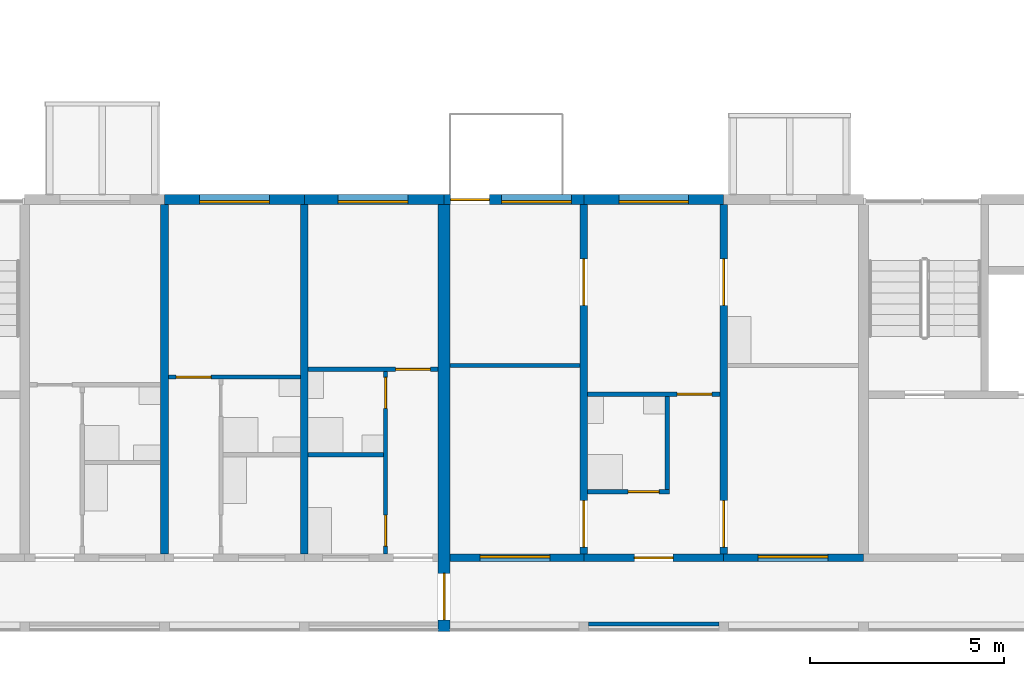
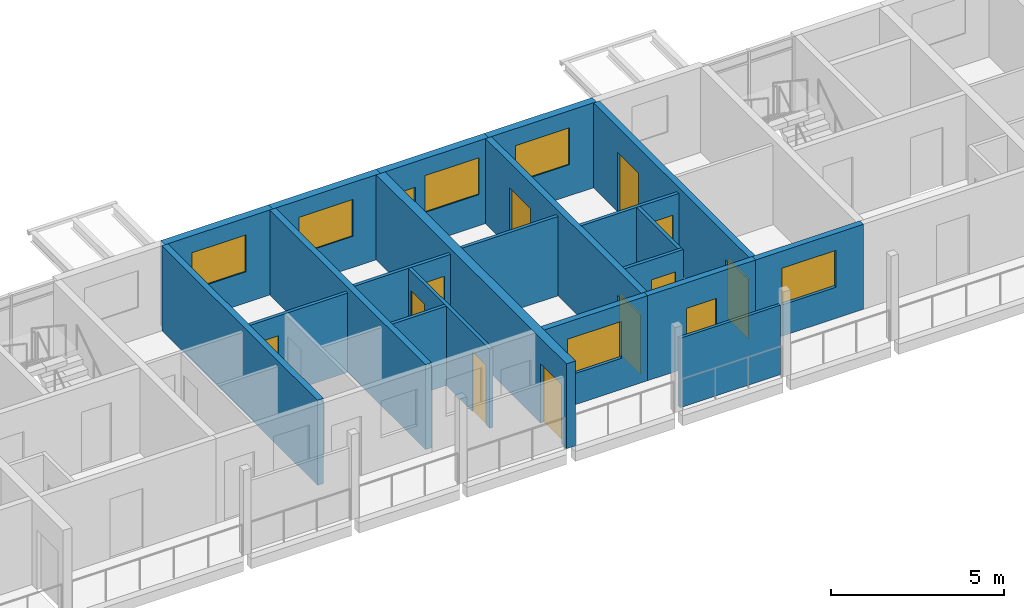
# One storey, part 49 of 87: 21 walls, 13 doors, 6 windows, 19 openings.
"""IFC4 building model written with IfcOpenShell, lengths in metres."""

from ifc_helpers import new_model, si_unit, direction, frame, frame_2d, origin, place, context, subcontext, project, spatial, rectangle, extrude, material, layer, layer_set, type_object, element, fill, save


model = new_model("IFC4")

# Units and contexts
model_context = context("Model", 3, precision=1e-05, world=origin(), true_north=direction((0.0, 1.0)))
body_context = subcontext(model_context, "Body", "Model", "MODEL_VIEW")
ifc_project = project(units=[si_unit("LENGTHUNIT", "METRE"), si_unit("AREAUNIT", "SQUARE_METRE"), si_unit("VOLUMEUNIT", "CUBIC_METRE"), si_unit("PLANEANGLEUNIT", "RADIAN"), si_unit("MASSUNIT", "GRAM", prefix="KILO")], contexts=[model_context])

# Site, building, storey
site_placement = place(None, origin())
site = spatial("IfcSite", under=ifc_project, at=site_placement, CompositionType="ELEMENT")
building_placement = place(site_placement, origin())
building = spatial("IfcBuilding", under=site, at=building_placement, Name="Ridgestep Commons", CompositionType="ELEMENT")
storey_placement = place(building_placement, frame((0.0, 0.0, 27.0)))
storey = spatial("IfcBuildingStorey", under=building, at=storey_placement, Name="L09", CompositionType="ELEMENT", Elevation=27.0)

# Walls
ifc_material_1 = material(Name="Precast concrete C40/50", Category="concrete")
ifc_layer_1 = layer(ifc_material_1, 0.199951171875)
ifc_layer_set_1 = layer_set([ifc_layer_1], Name="Cross wall 200")
wall_type_1 = type_object("IfcWallType", Name="Cross wall 200", PredefinedType="SHEAR", material=ifc_layer_set_1)
for number, where, z_axis, x_axis, name in (
    (1, (173.199951171875, 13.75, 0.0), (0.0, 0.0, 1.0), (0.0, 1.0, 0.0), "Cross wall D-09-1732"),
    (2, (176.800048828125, 13.75, 0.0), (0.0, 0.0, 1.0), (0.0, 1.0, 0.0), "Cross wall D-09-1768"),
):
    element("IfcWall", number, at=place(storey_placement, frame(where, z_axis=z_axis, x_axis=x_axis)), inside=storey, type_object=wall_type_1, Name=name, PredefinedType="SHEAR", context=body_context, shape_type="SweptSolid", body=[
        extrude(rectangle(XDim=9.0, YDim=0.199951171875, at=frame_2d((4.5, 0.0))), origin(), (0.0, 0.0, 1.0), 3.0),
    ])

# Wall, openings, doors
wall_1_placement = place(storey_placement, frame((184.0, 13.75, 0.0), z_axis=(0.0, 0.0, 1.0), x_axis=(0.0, 1.0, 0.0)))
wall_1 = element("IfcWall", 3, at=wall_1_placement, inside=storey, type_object=wall_type_1, Name="Cross wall D-09-1840", PredefinedType="SHEAR", context=body_context, shape_type="SweptSolid", body=[
    extrude(rectangle(XDim=9.0, YDim=0.199951171875, at=frame_2d((4.5, 0.0))), origin(), (0.0, 0.0, 1.0), 3.0),
])
opening_1_placement = place(wall_1_placement, frame((0.175048828125, 0.0, 0.0)))
opening_1 = element("IfcOpeningElement", 4, at=opening_1_placement, cuts=wall_1, Name="Opening D3-09a/4", PredefinedType="OPENING", context=body_context, shape_type="SweptSolid", body=[
    extrude(rectangle(XDim=1.199951171875, YDim=2.10009765625, at=frame_2d((0.60009765625, 1.050048828125))), frame((0.0, 0.10986328125, 0.0), z_axis=(0.0, -1.0, 0.0), x_axis=(1.0, 0.0, 0.0)), (0.0, 0.0, 1.0), 0.219970703125),
])
opening_2_placement = place(wall_1_placement, frame((6.39990234375, 0.0, 0.0)))
opening_2 = element("IfcOpeningElement", 5, at=opening_2_placement, cuts=wall_1, Name="Opening D3-09a/5", PredefinedType="OPENING", context=body_context, shape_type="SweptSolid", body=[
    extrude(rectangle(XDim=1.199951171875, YDim=2.10009765625, at=frame_2d((0.60009765625, 1.050048828125))), frame((0.0, 0.10986328125, 0.0), z_axis=(0.0, -1.0, 0.0), x_axis=(1.0, 0.0, 0.0)), (0.0, 0.0, 1.0), 0.219970703125),
])
ifc_material_2 = material(Name="Timber door leaf", Category="wood")
door_type_1 = type_object("IfcDoorType", Name="Double door 1200 x 2100", OperationType="DOUBLE_DOOR_SINGLE_SWING", PredefinedType="DOOR", material=ifc_material_2)
door_1_placement = place(opening_1_placement, origin())
door_1 = element("IfcDoor", 6, at=door_1_placement, inside=storey, type_object=door_type_1, Name="Double door D3-09a/4", OperationType="DOUBLE_DOOR_SINGLE_SWING", OverallHeight=2.10009765625, OverallWidth=1.199951171875, PredefinedType="DOOR", context=body_context, shape_type="SweptSolid", body=[
    extrude(rectangle(XDim=1.199951171875, YDim=2.10009765625, at=frame_2d((0.60009765625, 1.050048828125))), frame((0.0, 0.02490234375, 0.0), z_axis=(0.0, -1.0, 0.0), x_axis=(1.0, 0.0, 0.0)), (0.0, 0.0, 1.0), 0.050048828125),
])
fill(opening_1, door_1)
door_2_placement = place(opening_2_placement, origin())
door_2 = element("IfcDoor", 7, at=door_2_placement, inside=storey, type_object=door_type_1, Name="Double door D3-09a/5", OperationType="DOUBLE_DOOR_SINGLE_SWING", OverallHeight=2.10009765625, OverallWidth=1.199951171875, PredefinedType="DOOR", context=body_context, shape_type="SweptSolid", body=[
    extrude(rectangle(XDim=1.199951171875, YDim=2.10009765625, at=frame_2d((0.60009765625, 1.050048828125))), frame((0.0, 0.02490234375, 0.0), z_axis=(0.0, -1.0, 0.0), x_axis=(1.0, 0.0, 0.0)), (0.0, 0.0, 1.0), 0.050048828125),
])
fill(opening_2, door_2)

wall_2_placement = place(storey_placement, frame((187.60009765625, 13.75, 0.0), z_axis=(0.0, 0.0, 1.0), x_axis=(0.0, 1.0, 0.0)))
wall_2 = element("IfcWall", 8, at=wall_2_placement, inside=storey, type_object=wall_type_1, Name="Cross wall D-09-1876", PredefinedType="SHEAR", context=body_context, shape_type="SweptSolid", body=[
    extrude(rectangle(XDim=9.0, YDim=0.199951171875, at=frame_2d((4.5, 0.0))), origin(), (0.0, 0.0, 1.0), 3.0),
])
opening_3_placement = place(wall_2_placement, frame((0.175048828125, 0.0, 0.0)))
opening_3 = element("IfcOpeningElement", 9, at=opening_3_placement, cuts=wall_2, Name="Opening D3-09a/6", PredefinedType="OPENING", context=body_context, shape_type="SweptSolid", body=[
    extrude(rectangle(XDim=1.199951171875, YDim=2.10009765625, at=frame_2d((0.60009765625, 1.050048828125))), frame((0.0, 0.10986328125, 0.0), z_axis=(0.0, -1.0, 0.0), x_axis=(1.0, 0.0, 0.0)), (0.0, 0.0, 1.0), 0.219970703125),
])
opening_4_placement = place(wall_2_placement, frame((6.39990234375, 0.0, 0.0)))
opening_4 = element("IfcOpeningElement", 10, at=opening_4_placement, cuts=wall_2, Name="Opening D3-09a/7", PredefinedType="OPENING", context=body_context, shape_type="SweptSolid", body=[
    extrude(rectangle(XDim=1.199951171875, YDim=2.10009765625, at=frame_2d((0.60009765625, 1.050048828125))), frame((0.0, 0.10986328125, 0.0), z_axis=(0.0, -1.0, 0.0), x_axis=(1.0, 0.0, 0.0)), (0.0, 0.0, 1.0), 0.219970703125),
])
door_3_placement = place(opening_3_placement, origin())
door_3 = element("IfcDoor", 11, at=door_3_placement, inside=storey, type_object=door_type_1, Name="Double door D3-09a/6", OperationType="DOUBLE_DOOR_SINGLE_SWING", OverallHeight=2.10009765625, OverallWidth=1.199951171875, PredefinedType="DOOR", context=body_context, shape_type="SweptSolid", body=[
    extrude(rectangle(XDim=1.199951171875, YDim=2.10009765625, at=frame_2d((0.60009765625, 1.050048828125))), frame((0.0, 0.02490234375, 0.0), z_axis=(0.0, -1.0, 0.0), x_axis=(1.0, 0.0, 0.0)), (0.0, 0.0, 1.0), 0.050048828125),
])
fill(opening_3, door_3)
door_4_placement = place(opening_4_placement, origin())
door_4 = element("IfcDoor", 12, at=door_4_placement, inside=storey, type_object=door_type_1, Name="Double door D3-09a/7", OperationType="DOUBLE_DOOR_SINGLE_SWING", OverallHeight=2.10009765625, OverallWidth=1.199951171875, PredefinedType="DOOR", context=body_context, shape_type="SweptSolid", body=[
    extrude(rectangle(XDim=1.199951171875, YDim=2.10009765625, at=frame_2d((0.60009765625, 1.050048828125))), frame((0.0, 0.02490234375, 0.0), z_axis=(0.0, -1.0, 0.0), x_axis=(1.0, 0.0, 0.0)), (0.0, 0.0, 1.0), 0.050048828125),
])
fill(opening_4, door_4)

# Wall, opening, door
ifc_material_3 = material(Name="Precast concrete C40/50", Category="concrete")
ifc_layer_2 = layer(ifc_material_3, 0.300048828125)
ifc_layer_set_2 = layer_set([ifc_layer_2], Name="Division wall 300")
wall_type_2 = type_object("IfcWallType", Name="Division wall 300", PredefinedType="SHEAR", material=ifc_layer_set_2)
wall_3_placement = place(storey_placement, frame((180.39990234375, 11.75, 0.0), z_axis=(0.0, 0.0, 1.0), x_axis=(0.0, 1.0, 0.0)))
wall_3 = element("IfcWall", 13, at=wall_3_placement, inside=storey, type_object=wall_type_2, Name="Cross wall D-09-1804", PredefinedType="SHEAR", context=body_context, shape_type="SweptSolid", body=[
    extrude(rectangle(XDim=11.0, YDim=0.300048828125, at=frame_2d((5.5, 0.0))), origin(), (0.0, 0.0, 1.0), 3.0),
])
opening_5_placement = place(wall_3_placement, frame((0.300048828125, 0.0, 0.0)))
opening_5 = element("IfcOpeningElement", 14, at=opening_5_placement, cuts=wall_3, Name="Opening D/09/G1804", PredefinedType="OPENING", context=body_context, shape_type="SweptSolid", body=[
    extrude(rectangle(XDim=1.199951171875, YDim=2.10009765625, at=frame_2d((0.60009765625, 1.050048828125))), frame((0.0, 0.159912109375, 0.0), z_axis=(0.0, -1.0, 0.0), x_axis=(1.0, 0.0, 0.0)), (0.0, 0.0, 1.0), 0.320068359375),
])
ifc_material_4 = material(Name="Steel fire door", Category="steel")
door_type_2 = type_object("IfcDoorType", Name="Division fire door 1200 x 2100 EI 240", OperationType="DOUBLE_DOOR_SINGLE_SWING", PredefinedType="DOOR", material=ifc_material_4)
door_5_placement = place(opening_5_placement, origin())
door_5 = element("IfcDoor", 15, at=door_5_placement, inside=storey, type_object=door_type_2, Name="Division fire door D/09/G1804", OperationType="DOUBLE_DOOR_SINGLE_SWING", OverallHeight=2.10009765625, OverallWidth=1.199951171875, PredefinedType="DOOR", context=body_context, shape_type="SweptSolid", body=[
    extrude(rectangle(XDim=1.199951171875, YDim=2.10009765625, at=frame_2d((0.60009765625, 1.050048828125))), frame((0.0, 0.02490234375, 0.0), z_axis=(0.0, -1.0, 0.0), x_axis=(1.0, 0.0, 0.0)), (0.0, 0.0, 1.0), 0.050048828125),
])
fill(opening_5, door_5)

# Wall, opening, window
ifc_material_5 = material(Name="Precast concrete C40/50", Category="concrete")
ifc_layer_3 = layer(ifc_material_5, 0.25)
ifc_layer_set_3 = layer_set([ifc_layer_3], Name="North facade panel 250")
wall_type_3 = type_object("IfcWallType", Name="North facade panel 250", PredefinedType="SOLIDWALL", material=ifc_layer_set_3)
wall_4_placement = place(storey_placement, frame((173.199951171875, 22.875, 0.0), z_axis=(0.0, 0.0, 1.0), x_axis=(1.0, 0.0, 0.0)))
wall_4 = element("IfcWall", 16, at=wall_4_placement, inside=storey, type_object=wall_type_3, Name="North panel D2T2 L09", PredefinedType="SOLIDWALL", context=body_context, shape_type="SweptSolid", body=[
    extrude(rectangle(XDim=3.60009765625, YDim=0.25, at=frame_2d((1.800048828125, 0.0))), origin(), (0.0, 0.0, 1.0), 3.0),
])
opening_6_placement = place(wall_4_placement, frame((0.89990234375, 0.0, 1.10009765625)))
opening_6 = element("IfcOpeningElement", 17, at=opening_6_placement, cuts=wall_4, Name="Opening W18", PredefinedType="OPENING", context=body_context, shape_type="SweptSolid", body=[
    extrude(rectangle(XDim=1.800048828125, YDim=1.300048828125, at=frame_2d((0.89990234375, 0.64990234375))), frame((0.0, 0.135009765625, 0.0), z_axis=(0.0, -1.0, 0.0), x_axis=(1.0, 0.0, 0.0)), (0.0, 0.0, 1.0), 0.27001953125),
])
ifc_material_6 = material(Name="Aluminium 6063-T6 and glass", Category="aluminium")
window_type = type_object("IfcWindowType", Name="Flat window 1800 x 1300", PartitioningType="DOUBLE_PANEL_VERTICAL", PredefinedType="WINDOW", material=ifc_material_6)
window_1_placement = place(opening_6_placement, origin())
window_1 = element("IfcWindow", 18, at=window_1_placement, inside=storey, type_object=window_type, Name="Window D2-09b 2", OverallHeight=1.300048828125, OverallWidth=1.800048828125, PartitioningType="SINGLE_PANEL", PredefinedType="WINDOW", context=body_context, shape_type="SweptSolid", body=[
    extrude(rectangle(XDim=1.800048828125, YDim=1.300048828125, at=frame_2d((0.89990234375, 0.64990234375))), frame((0.0, -0.02490234375, 0.0), z_axis=(0.0, -1.0, 0.0), x_axis=(1.0, 0.0, 0.0)), (0.0, 0.0, 1.0), 0.06005859375),
])
fill(opening_6, window_1)

wall_5_placement = place(storey_placement, frame((176.800048828125, 22.875, 0.0), z_axis=(0.0, 0.0, 1.0), x_axis=(1.0, 0.0, 0.0)))
wall_5 = element("IfcWall", 19, at=wall_5_placement, inside=storey, type_object=wall_type_3, Name="North panel D2T1 L09", PredefinedType="SOLIDWALL", context=body_context, shape_type="SweptSolid", body=[
    extrude(rectangle(XDim=3.599853515625, YDim=0.25, at=frame_2d((1.7998046875, 0.0))), origin(), (0.0, 0.0, 1.0), 3.0),
])
opening_7_placement = place(wall_5_placement, frame((0.875, 0.0, 1.10009765625)))
opening_7 = element("IfcOpeningElement", 20, at=opening_7_placement, cuts=wall_5, Name="Opening W18", PredefinedType="OPENING", context=body_context, shape_type="SweptSolid", body=[
    extrude(rectangle(XDim=1.800048828125, YDim=1.300048828125, at=frame_2d((0.89990234375, 0.64990234375))), frame((0.0, 0.135009765625, 0.0), z_axis=(0.0, -1.0, 0.0), x_axis=(1.0, 0.0, 0.0)), (0.0, 0.0, 1.0), 0.27001953125),
])
window_2_placement = place(opening_7_placement, origin())
window_2 = element("IfcWindow", 21, at=window_2_placement, inside=storey, type_object=window_type, Name="Window D2-09a 2", OverallHeight=1.300048828125, OverallWidth=1.800048828125, PartitioningType="SINGLE_PANEL", PredefinedType="WINDOW", context=body_context, shape_type="SweptSolid", body=[
    extrude(rectangle(XDim=1.800048828125, YDim=1.300048828125, at=frame_2d((0.89990234375, 0.64990234375))), frame((0.0, -0.02490234375, 0.0), z_axis=(0.0, -1.0, 0.0), x_axis=(1.0, 0.0, 0.0)), (0.0, 0.0, 1.0), 0.06005859375),
])
fill(opening_7, window_2)

# Wall, openings, door, window
wall_6_placement = place(storey_placement, frame((180.39990234375, 22.875, 0.0), z_axis=(0.0, 0.0, 1.0), x_axis=(1.0, 0.0, 0.0)))
wall_6 = element("IfcWall", 22, at=wall_6_placement, inside=storey, type_object=wall_type_3, Name="North panel D3T1 L09", PredefinedType="SOLIDWALL", context=body_context, shape_type="SweptSolid", body=[
    extrude(rectangle(XDim=3.60009765625, YDim=0.25, at=frame_2d((1.800048828125, 0.0))), origin(), (0.0, 0.0, 1.0), 3.0),
])
opening_8_placement = place(wall_6_placement, frame((1.485107421875, 0.0, 1.10009765625)))
opening_8 = element("IfcOpeningElement", 23, at=opening_8_placement, cuts=wall_6, Name="Opening W18", PredefinedType="OPENING", context=body_context, shape_type="SweptSolid", body=[
    extrude(rectangle(XDim=1.800048828125, YDim=1.300048828125, at=frame_2d((0.89990234375, 0.64990234375))), frame((0.0, 0.135009765625, 0.0), z_axis=(0.0, -1.0, 0.0), x_axis=(1.0, 0.0, 0.0)), (0.0, 0.0, 1.0), 0.27001953125),
])
opening_9_placement = place(wall_6_placement, frame((0.169921875, 0.0, 0.0)))
opening_9 = element("IfcOpeningElement", 24, at=opening_9_placement, cuts=wall_6, Name="Opening D3-09a/8", PredefinedType="OPENING", context=body_context, shape_type="SweptSolid", body=[
    extrude(rectangle(XDim=1.0, YDim=2.10009765625, at=frame_2d((0.5, 1.050048828125))), frame((0.0, 0.135009765625, 0.0), z_axis=(0.0, -1.0, 0.0), x_axis=(1.0, 0.0, 0.0)), (0.0, 0.0, 1.0), 0.27001953125),
])
ifc_material_7 = material(Name="Aluminium and glass", Category="aluminium")
door_type_3 = type_object("IfcDoorType", Name="Balcony door 1000 x 2100", OperationType="NOTDEFINED", PredefinedType="DOOR", material=ifc_material_7)
door_6_placement = place(opening_9_placement, origin())
door_6 = element("IfcDoor", 25, at=door_6_placement, inside=storey, type_object=door_type_3, Name="Balcony door D3-09a/8", OperationType="SINGLE_SWING_RIGHT", OverallHeight=2.10009765625, OverallWidth=1.0, PredefinedType="DOOR", context=body_context, shape_type="SweptSolid", body=[
    extrude(rectangle(XDim=1.0, YDim=2.10009765625, at=frame_2d((0.5, 1.050048828125))), frame((0.0, 0.02490234375, 0.0), z_axis=(0.0, -1.0, 0.0), x_axis=(1.0, 0.0, 0.0)), (0.0, 0.0, 1.0), 0.050048828125),
])
fill(opening_9, door_6)
window_3_placement = place(opening_8_placement, origin())
window_3 = element("IfcWindow", 26, at=window_3_placement, inside=storey, type_object=window_type, Name="Window D3-09a 2", OverallHeight=1.300048828125, OverallWidth=1.800048828125, PartitioningType="SINGLE_PANEL", PredefinedType="WINDOW", context=body_context, shape_type="SweptSolid", body=[
    extrude(rectangle(XDim=1.800048828125, YDim=1.300048828125, at=frame_2d((0.89990234375, 0.64990234375))), frame((0.0, -0.02490234375, 0.0), z_axis=(0.0, -1.0, 0.0), x_axis=(1.0, 0.0, 0.0)), (0.0, 0.0, 1.0), 0.06005859375),
])
fill(opening_8, window_3)

# Wall, opening, window
wall_7_placement = place(storey_placement, frame((184.0, 22.875, 0.0), z_axis=(0.0, 0.0, 1.0), x_axis=(1.0, 0.0, 0.0)))
wall_7 = element("IfcWall", 27, at=wall_7_placement, inside=storey, type_object=wall_type_3, Name="North panel D3T2 L09", PredefinedType="SOLIDWALL", context=body_context, shape_type="SweptSolid", body=[
    extrude(rectangle(XDim=3.60009765625, YDim=0.25, at=frame_2d((1.800048828125, 0.0))), origin(), (0.0, 0.0, 1.0), 3.0),
])
opening_10_placement = place(wall_7_placement, frame((0.89990234375, 0.0, 1.10009765625)))
opening_10 = element("IfcOpeningElement", 28, at=opening_10_placement, cuts=wall_7, Name="Opening W18", PredefinedType="OPENING", context=body_context, shape_type="SweptSolid", body=[
    extrude(rectangle(XDim=1.800048828125, YDim=1.300048828125, at=frame_2d((0.89990234375, 0.64990234375))), frame((0.0, 0.135009765625, 0.0), z_axis=(0.0, -1.0, 0.0), x_axis=(1.0, 0.0, 0.0)), (0.0, 0.0, 1.0), 0.27001953125),
])
window_4_placement = place(opening_10_placement, origin())
window_4 = element("IfcWindow", 29, at=window_4_placement, inside=storey, type_object=window_type, Name="Window D3-09a 5", OverallHeight=1.300048828125, OverallWidth=1.800048828125, PartitioningType="SINGLE_PANEL", PredefinedType="WINDOW", context=body_context, shape_type="SweptSolid", body=[
    extrude(rectangle(XDim=1.800048828125, YDim=1.300048828125, at=frame_2d((0.89990234375, 0.64990234375))), frame((0.0, -0.02490234375, 0.0), z_axis=(0.0, -1.0, 0.0), x_axis=(1.0, 0.0, 0.0)), (0.0, 0.0, 1.0), 0.06005859375),
])
fill(opening_10, window_4)

# Wall
ifc_material_8 = material(Name="Common brick 110 mm", Category="masonry")
ifc_layer_4 = layer(ifc_material_8, 0.110107421875)
ifc_layer_set_4 = layer_set([ifc_layer_4], Name="Partition 110")
wall_type_4 = type_object("IfcWallType", Name="Partition 110", PredefinedType="PARTITIONING", material=ifc_layer_set_4)
wall_8_placement = place(storey_placement, frame((176.89990234375, 16.304931640625, 0.0), z_axis=(0.0, 0.0, 1.0), x_axis=(1.0, 0.0, 0.0)))
element("IfcWall", 30, at=wall_8_placement, inside=storey, type_object=wall_type_4, Name="Partition D2-09a", PredefinedType="PARTITIONING", context=body_context, shape_type="SweptSolid", body=[
    extrude(rectangle(XDim=1.940185546875, YDim=0.110107421875, at=frame_2d((0.97021484375, 0.0))), origin(), (0.0, 0.0, 1.0), 2.800048828125),
])

# Wall, openings, doors
wall_9_placement = place(storey_placement, frame((178.89501953125, 13.75, 0.0), z_axis=(0.0, 0.0, 1.0), x_axis=(0.0, 1.0, 0.0)))
wall_9 = element("IfcWall", 31, at=wall_9_placement, inside=storey, type_object=wall_type_4, Name="Partition D2-09a", PredefinedType="PARTITIONING", context=body_context, shape_type="SweptSolid", body=[
    extrude(rectangle(XDim=4.699951171875, YDim=0.110107421875, at=frame_2d((2.35009765625, 0.0))), origin(), (0.0, 0.0, 1.0), 2.800048828125),
])
opening_11_placement = place(wall_9_placement, frame((0.199951171875, 0.0, 0.0)))
opening_11 = element("IfcOpeningElement", 32, at=opening_11_placement, cuts=wall_9, Name="Opening D2-09a/2", PredefinedType="OPENING", context=body_context, shape_type="SweptSolid", body=[
    extrude(rectangle(XDim=0.800048828125, YDim=2.10009765625, at=frame_2d((0.39990234375, 1.050048828125))), frame((0.0, 0.06494140625, 0.0), z_axis=(0.0, -1.0, 0.0), x_axis=(1.0, 0.0, 0.0)), (0.0, 0.0, 1.0), 0.130126953125),
])
opening_12_placement = place(wall_9_placement, frame((3.75, 0.0, 0.0)))
opening_12 = element("IfcOpeningElement", 33, at=opening_12_placement, cuts=wall_9, Name="Opening D2-09a/3", PredefinedType="OPENING", context=body_context, shape_type="SweptSolid", body=[
    extrude(rectangle(XDim=0.800048828125, YDim=2.10009765625, at=frame_2d((0.39990234375, 1.050048828125))), frame((0.0, 0.06494140625, 0.0), z_axis=(0.0, -1.0, 0.0), x_axis=(1.0, 0.0, 0.0)), (0.0, 0.0, 1.0), 0.130126953125),
])
ifc_material_9 = material(Name="Timber door leaf", Category="wood")
door_type_4 = type_object("IfcDoorType", Name="Internal door 800 x 2100", OperationType="NOTDEFINED", PredefinedType="DOOR", material=ifc_material_9)
door_7_placement = place(opening_11_placement, origin())
door_7 = element("IfcDoor", 34, at=door_7_placement, inside=storey, type_object=door_type_4, Name="Internal door D2-09a/2", OperationType="SINGLE_SWING_LEFT", OverallHeight=2.10009765625, OverallWidth=0.800048828125, PredefinedType="DOOR", context=body_context, shape_type="SweptSolid", body=[
    extrude(rectangle(XDim=0.800048828125, YDim=2.10009765625, at=frame_2d((0.39990234375, 1.050048828125))), frame((0.0, 0.02490234375, 0.0), z_axis=(0.0, -1.0, 0.0), x_axis=(1.0, 0.0, 0.0)), (0.0, 0.0, 1.0), 0.050048828125),
])
fill(opening_11, door_7)
door_8_placement = place(opening_12_placement, origin())
door_8 = element("IfcDoor", 35, at=door_8_placement, inside=storey, type_object=door_type_4, Name="Internal door D2-09a/3", OperationType="SINGLE_SWING_RIGHT", OverallHeight=2.10009765625, OverallWidth=0.800048828125, PredefinedType="DOOR", context=body_context, shape_type="SweptSolid", body=[
    extrude(rectangle(XDim=0.800048828125, YDim=2.10009765625, at=frame_2d((0.39990234375, 1.050048828125))), frame((0.0, 0.02490234375, 0.0), z_axis=(0.0, -1.0, 0.0), x_axis=(1.0, 0.0, 0.0)), (0.0, 0.0, 1.0), 0.050048828125),
])
fill(opening_12, door_8)

# Wall, opening, door
wall_10_placement = place(storey_placement, frame((176.89990234375, 18.5048828125, 0.0), z_axis=(0.0, 0.0, 1.0), x_axis=(1.0, 0.0, 0.0)))
wall_10 = element("IfcWall", 36, at=wall_10_placement, inside=storey, type_object=wall_type_4, Name="Partition D2-09a", PredefinedType="PARTITIONING", context=body_context, shape_type="SweptSolid", body=[
    extrude(rectangle(XDim=3.35009765625, YDim=0.110107421875, at=frame_2d((1.675048828125, 0.0))), origin(), (0.0, 0.0, 1.0), 2.800048828125),
])
opening_13_placement = place(wall_10_placement, frame((2.25, 0.0, 0.0)))
opening_13 = element("IfcOpeningElement", 37, at=opening_13_placement, cuts=wall_10, Name="Opening D2-09a/4", PredefinedType="OPENING", context=body_context, shape_type="SweptSolid", body=[
    extrude(rectangle(XDim=0.89990234375, YDim=2.10009765625, at=frame_2d((0.449951171875, 1.050048828125))), frame((0.0, 0.06494140625, 0.0), z_axis=(0.0, -1.0, 0.0), x_axis=(1.0, 0.0, 0.0)), (0.0, 0.0, 1.0), 0.130126953125),
])
ifc_material_10 = material(Name="Timber door leaf", Category="wood")
door_type_5 = type_object("IfcDoorType", Name="Internal door 900 x 2100", OperationType="NOTDEFINED", PredefinedType="DOOR", material=ifc_material_10)
door_9_placement = place(opening_13_placement, origin())
door_9 = element("IfcDoor", 38, at=door_9_placement, inside=storey, type_object=door_type_5, Name="Internal door D2-09a/4", OperationType="SINGLE_SWING_LEFT", OverallHeight=2.10009765625, OverallWidth=0.89990234375, PredefinedType="DOOR", context=body_context, shape_type="SweptSolid", body=[
    extrude(rectangle(XDim=0.89990234375, YDim=2.10009765625, at=frame_2d((0.449951171875, 1.050048828125))), frame((0.0, 0.02490234375, 0.0), z_axis=(0.0, -1.0, 0.0), x_axis=(1.0, 0.0, 0.0)), (0.0, 0.0, 1.0), 0.050048828125),
])
fill(opening_13, door_9)

wall_11_placement = place(storey_placement, frame((173.300048828125, 18.304931640625, 0.0), z_axis=(0.0, 0.0, 1.0), x_axis=(1.0, 0.0, 0.0)))
wall_11 = element("IfcWall", 39, at=wall_11_placement, inside=storey, type_object=wall_type_4, Name="Partition D2-09b", PredefinedType="PARTITIONING", context=body_context, shape_type="SweptSolid", body=[
    extrude(rectangle(XDim=3.39990234375, YDim=0.110107421875, at=frame_2d((1.699951171875, 0.0))), origin(), (0.0, 0.0, 1.0), 2.800048828125),
])
opening_14_placement = place(wall_11_placement, frame((0.199951171875, 0.0, 0.0)))
opening_14 = element("IfcOpeningElement", 40, at=opening_14_placement, cuts=wall_11, Name="Opening D2-09b/4", PredefinedType="OPENING", context=body_context, shape_type="SweptSolid", body=[
    extrude(rectangle(XDim=0.89990234375, YDim=2.10009765625, at=frame_2d((0.449951171875, 1.050048828125))), frame((0.0, 0.06494140625, 0.0), z_axis=(0.0, -1.0, 0.0), x_axis=(1.0, 0.0, 0.0)), (0.0, 0.0, 1.0), 0.130126953125),
])
door_10_placement = place(opening_14_placement, origin())
door_10 = element("IfcDoor", 41, at=door_10_placement, inside=storey, type_object=door_type_5, Name="Internal door D2-09b/4", OperationType="SINGLE_SWING_LEFT", OverallHeight=2.10009765625, OverallWidth=0.89990234375, PredefinedType="DOOR", context=body_context, shape_type="SweptSolid", body=[
    extrude(rectangle(XDim=0.89990234375, YDim=2.10009765625, at=frame_2d((0.449951171875, 1.050048828125))), frame((0.0, 0.02490234375, 0.0), z_axis=(0.0, -1.0, 0.0), x_axis=(1.0, 0.0, 0.0)), (0.0, 0.0, 1.0), 0.050048828125),
])
fill(opening_14, door_10)

wall_12_placement = place(storey_placement, frame((184.10009765625, 15.35498046875, 0.0), z_axis=(0.0, 0.0, 1.0), x_axis=(1.0, 0.0, 0.0)))
wall_12 = element("IfcWall", 42, at=wall_12_placement, inside=storey, type_object=wall_type_4, Name="Partition D3-09a", PredefinedType="PARTITIONING", context=body_context, shape_type="SweptSolid", body=[
    extrude(rectangle(XDim=2.099853515625, YDim=0.110107421875, at=frame_2d((1.0498046875, 0.0))), origin(), (0.0, 0.0, 1.0), 2.800048828125),
])
opening_15_placement = place(wall_12_placement, frame((1.0400390625, 0.0, 0.0)))
opening_15 = element("IfcOpeningElement", 43, at=opening_15_placement, cuts=wall_12, Name="Opening D3-09a/2", PredefinedType="OPENING", context=body_context, shape_type="SweptSolid", body=[
    extrude(rectangle(XDim=0.800048828125, YDim=2.10009765625, at=frame_2d((0.39990234375, 1.050048828125))), frame((0.0, 0.06494140625, 0.0), z_axis=(0.0, -1.0, 0.0), x_axis=(1.0, 0.0, 0.0)), (0.0, 0.0, 1.0), 0.130126953125),
])
door_11_placement = place(opening_15_placement, origin())
door_11 = element("IfcDoor", 44, at=door_11_placement, inside=storey, type_object=door_type_4, Name="Internal door D3-09a/2", OperationType="SINGLE_SWING_RIGHT", OverallHeight=2.10009765625, OverallWidth=0.800048828125, PredefinedType="DOOR", context=body_context, shape_type="SweptSolid", body=[
    extrude(rectangle(XDim=0.800048828125, YDim=2.10009765625, at=frame_2d((0.39990234375, 1.050048828125))), frame((0.0, 0.02490234375, 0.0), z_axis=(0.0, -1.0, 0.0), x_axis=(1.0, 0.0, 0.0)), (0.0, 0.0, 1.0), 0.050048828125),
])
fill(opening_15, door_11)

# Wall
wall_13_placement = place(storey_placement, frame((186.14501953125, 15.409912109375, 0.0), z_axis=(0.0, 0.0, 1.0), x_axis=(0.0, 1.0, 0.0)))
element("IfcWall", 45, at=wall_13_placement, inside=storey, type_object=wall_type_4, Name="Partition D3-09a", PredefinedType="PARTITIONING", context=body_context, shape_type="SweptSolid", body=[
    extrude(rectangle(XDim=2.400146484375, YDim=0.110107421875, at=frame_2d((1.2001953125, 0.0))), origin(), (0.0, 0.0, 1.0), 2.800048828125),
])

# Wall, opening, door
wall_14_placement = place(storey_placement, frame((184.10009765625, 17.864990234375, 0.0), z_axis=(0.0, 0.0, 1.0), x_axis=(1.0, 0.0, 0.0)))
wall_14 = element("IfcWall", 46, at=wall_14_placement, inside=storey, type_object=wall_type_4, Name="Partition D3-09a", PredefinedType="PARTITIONING", context=body_context, shape_type="SweptSolid", body=[
    extrude(rectangle(XDim=3.39990234375, YDim=0.110107421875, at=frame_2d((1.699951171875, 0.0))), origin(), (0.0, 0.0, 1.0), 2.800048828125),
])
opening_16_placement = place(wall_14_placement, frame((2.300048828125, 0.0, 0.0)))
opening_16 = element("IfcOpeningElement", 47, at=opening_16_placement, cuts=wall_14, Name="Opening D3-09a/3", PredefinedType="OPENING", context=body_context, shape_type="SweptSolid", body=[
    extrude(rectangle(XDim=0.89990234375, YDim=2.10009765625, at=frame_2d((0.449951171875, 1.050048828125))), frame((0.0, 0.06494140625, 0.0), z_axis=(0.0, -1.0, 0.0), x_axis=(1.0, 0.0, 0.0)), (0.0, 0.0, 1.0), 0.130126953125),
])
door_12_placement = place(opening_16_placement, origin())
door_12 = element("IfcDoor", 48, at=door_12_placement, inside=storey, type_object=door_type_5, Name="Internal door D3-09a/3", OperationType="SINGLE_SWING_LEFT", OverallHeight=2.10009765625, OverallWidth=0.89990234375, PredefinedType="DOOR", context=body_context, shape_type="SweptSolid", body=[
    extrude(rectangle(XDim=0.89990234375, YDim=2.10009765625, at=frame_2d((0.449951171875, 1.050048828125))), frame((0.0, 0.02490234375, 0.0), z_axis=(0.0, -1.0, 0.0), x_axis=(1.0, 0.0, 0.0)), (0.0, 0.0, 1.0), 0.050048828125),
])
fill(opening_16, door_12)

# Walls
wall_15_placement = place(storey_placement, frame((180.550048828125, 18.60498046875, 0.0), z_axis=(0.0, 0.0, 1.0), x_axis=(1.0, 0.0, 0.0)))
element("IfcWall", 49, at=wall_15_placement, inside=storey, type_object=wall_type_4, Name="Partition D3-09a", PredefinedType="PARTITIONING", context=body_context, shape_type="SweptSolid", body=[
    extrude(rectangle(XDim=3.349853515625, YDim=0.110107421875, at=frame_2d((1.6748046875, 0.0))), origin(), (0.0, 0.0, 1.0), 2.800048828125),
])
ifc_material_11 = material(Name="Precast concrete C30/37", Category="concrete")
ifc_layer_5 = layer(ifc_material_11, 0.10009765625)
ifc_layer_set_5 = layer_set([ifc_layer_5], Name="Perforated gallery screen 3350 x 2450 x 100")
wall_type_5 = type_object("IfcWallType", Name="Perforated gallery screen 3350 x 2450 x 100", PredefinedType="SOLIDWALL", material=ifc_layer_set_5)
wall_16_placement = place(storey_placement, frame((184.125, 11.949951171875, 0.0), z_axis=(0.0, 0.0, 1.0), x_axis=(1.0, 0.0, 0.0)))
element("IfcWall", 50, at=wall_16_placement, inside=storey, type_object=wall_type_5, Name="Gallery screen D3T2 09", PredefinedType="SOLIDWALL", context=body_context, shape_type="SweptSolid", body=[
    extrude(rectangle(XDim=3.35009765625, YDim=0.10009765625, at=frame_2d((1.675048828125, 0.0))), origin(), (0.0, 0.0, 1.0), 2.449951171875),
])

# Wall, opening, window
ifc_material_12 = material(Name="Precast concrete C40/50", Category="concrete")
ifc_layer_6 = layer(ifc_material_12, 0.199951171875)
ifc_layer_set_6 = layer_set([ifc_layer_6], Name="South facade panel 200")
wall_type_6 = type_object("IfcWallType", Name="South facade panel 200", PredefinedType="SOLIDWALL", material=ifc_layer_set_6)
wall_17_placement = place(storey_placement, frame((180.550048828125, 13.64990234375, 0.0), z_axis=(0.0, 0.0, 1.0), x_axis=(1.0, 0.0, 0.0)))
wall_17 = element("IfcWall", 51, at=wall_17_placement, inside=storey, type_object=wall_type_6, Name="South panel D3T1 L09", PredefinedType="SOLIDWALL", context=body_context, shape_type="SweptSolid", body=[
    extrude(rectangle(XDim=3.449951171875, YDim=0.199951171875, at=frame_2d((1.72509765625, 0.0))), origin(), (0.0, 0.0, 1.0), 3.0),
])
opening_17_placement = place(wall_17_placement, frame((0.77490234375, 0.0, 1.10009765625)))
opening_17 = element("IfcOpeningElement", 52, at=opening_17_placement, cuts=wall_17, Name="Opening W18", PredefinedType="OPENING", context=body_context, shape_type="SweptSolid", body=[
    extrude(rectangle(XDim=1.800048828125, YDim=1.300048828125, at=frame_2d((0.89990234375, 0.64990234375))), frame((0.0, 0.10986328125, 0.0), z_axis=(0.0, -1.0, 0.0), x_axis=(1.0, 0.0, 0.0)), (0.0, 0.0, 1.0), 0.219970703125),
])
window_5_placement = place(opening_17_placement, origin())
window_5 = element("IfcWindow", 53, at=window_5_placement, inside=storey, type_object=window_type, Name="Window D3-09a 1", OverallHeight=1.300048828125, OverallWidth=1.800048828125, PartitioningType="SINGLE_PANEL", PredefinedType="WINDOW", context=body_context, shape_type="SweptSolid", body=[
    extrude(rectangle(XDim=1.800048828125, YDim=1.300048828125, at=frame_2d((0.89990234375, 0.64990234375))), frame((0.0, 0.06005859375, 0.0), z_axis=(0.0, -1.0, 0.0), x_axis=(1.0, 0.0, 0.0)), (0.0, 0.0, 1.0), 0.06005859375),
])
fill(opening_17, window_5)

# Wall, opening, door
wall_18_placement = place(storey_placement, frame((184.0, 13.64990234375, 0.0), z_axis=(0.0, 0.0, 1.0), x_axis=(1.0, 0.0, 0.0)))
wall_18 = element("IfcWall", 54, at=wall_18_placement, inside=storey, type_object=wall_type_6, Name="South panel D3T2 L09", PredefinedType="SOLIDWALL", context=body_context, shape_type="SweptSolid", body=[
    extrude(rectangle(XDim=3.60009765625, YDim=0.199951171875, at=frame_2d((1.800048828125, 0.0))), origin(), (0.0, 0.0, 1.0), 3.0),
])
opening_18_placement = place(wall_18_placement, frame((1.300048828125, 0.0, 0.0)))
opening_18 = element("IfcOpeningElement", 55, at=opening_18_placement, cuts=wall_18, Name="Opening D3-09a/1", PredefinedType="OPENING", context=body_context, shape_type="SweptSolid", body=[
    extrude(rectangle(XDim=1.0, YDim=2.10009765625, at=frame_2d((0.5, 1.050048828125))), frame((0.0, 0.10986328125, 0.0), z_axis=(0.0, -1.0, 0.0), x_axis=(1.0, 0.0, 0.0)), (0.0, 0.0, 1.0), 0.219970703125),
])
ifc_material_13 = material(Name="Timber door leaf", Category="wood")
door_type_6 = type_object("IfcDoorType", Name="Flat entrance door 1000 x 2100 FD30S", OperationType="NOTDEFINED", PredefinedType="DOOR", material=ifc_material_13)
door_13_placement = place(opening_18_placement, origin())
door_13 = element("IfcDoor", 56, at=door_13_placement, inside=storey, type_object=door_type_6, Name="Flat entrance door D3-09a/1", OperationType="SINGLE_SWING_RIGHT", OverallHeight=2.10009765625, OverallWidth=1.0, PredefinedType="DOOR", context=body_context, shape_type="SweptSolid", body=[
    extrude(rectangle(XDim=1.0, YDim=2.10009765625, at=frame_2d((0.5, 1.050048828125))), frame((0.0, 0.02490234375, 0.0), z_axis=(0.0, -1.0, 0.0), x_axis=(1.0, 0.0, 0.0)), (0.0, 0.0, 1.0), 0.050048828125),
])
fill(opening_18, door_13)

# Wall, opening, window
wall_19_placement = place(storey_placement, frame((187.60009765625, 13.64990234375, 0.0), z_axis=(0.0, 0.0, 1.0), x_axis=(1.0, 0.0, 0.0)))
wall_19 = element("IfcWall", 57, at=wall_19_placement, inside=storey, type_object=wall_type_6, Name="South panel D3T3 L09", PredefinedType="SOLIDWALL", context=body_context, shape_type="SweptSolid", body=[
    extrude(rectangle(XDim=3.599853515625, YDim=0.199951171875, at=frame_2d((1.7998046875, 0.0))), origin(), (0.0, 0.0, 1.0), 3.0),
])
opening_19_placement = place(wall_19_placement, frame((0.887451171875, 0.0, 1.10009765625)))
opening_19 = element("IfcOpeningElement", 58, at=opening_19_placement, cuts=wall_19, Name="Opening W18", PredefinedType="OPENING", context=body_context, shape_type="SweptSolid", body=[
    extrude(rectangle(XDim=1.800048828125, YDim=1.300048828125, at=frame_2d((0.89990234375, 0.64990234375))), frame((0.0, 0.10986328125, 0.0), z_axis=(0.0, -1.0, 0.0), x_axis=(1.0, 0.0, 0.0)), (0.0, 0.0, 1.0), 0.219970703125),
])
window_6_placement = place(opening_19_placement, origin())
window_6 = element("IfcWindow", 59, at=window_6_placement, inside=storey, type_object=window_type, Name="Window D3-09a 3", OverallHeight=1.300048828125, OverallWidth=1.800048828125, PartitioningType="SINGLE_PANEL", PredefinedType="WINDOW", context=body_context, shape_type="SweptSolid", body=[
    extrude(rectangle(XDim=1.800048828125, YDim=1.300048828125, at=frame_2d((0.89990234375, 0.64990234375))), frame((0.0, 0.06005859375, 0.0), z_axis=(0.0, -1.0, 0.0), x_axis=(1.0, 0.0, 0.0)), (0.0, 0.0, 1.0), 0.06005859375),
])
fill(opening_19, window_6)

save(model, "model.ifc")
